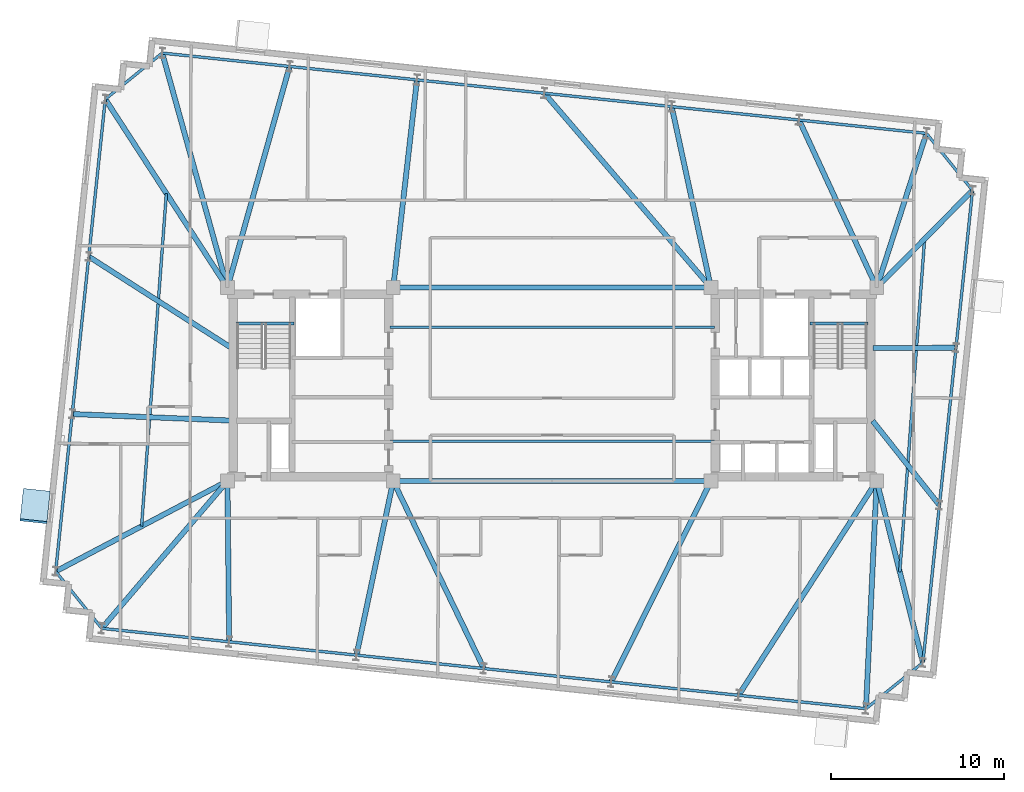
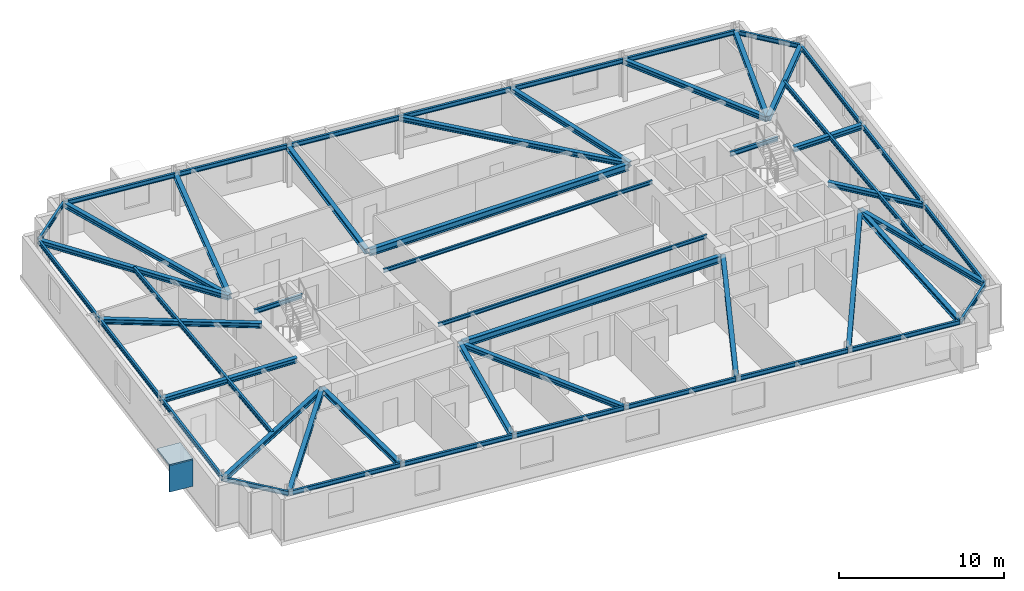
# One storey, part 4 of 11: 52 beams, 2 plates.
"""IFC4 building model written with IfcOpenShell, lengths in metres."""

from ifc_helpers import new_model, si_unit, direction, frame, origin, origin_2d, place, context, subcontext, project, spatial, rectangle, i_section, extrude, material, layer, layer_set, material_profile, profile_set, type_object, element, save


model = new_model("IFC4")

# Units and contexts
model_context = context("Model", 3, precision=1e-05, world=origin(), true_north=direction((0.0, 1.0)))
body_context = subcontext(model_context, "Body", "Model", "MODEL_VIEW")
ifc_project = project(units=[si_unit("LENGTHUNIT", "METRE"), si_unit("AREAUNIT", "SQUARE_METRE"), si_unit("VOLUMEUNIT", "CUBIC_METRE"), si_unit("PLANEANGLEUNIT", "RADIAN"), si_unit("MASSUNIT", "GRAM", prefix="KILO")], contexts=[model_context])

# Site, building, storey
site_placement = place(None, origin())
site = spatial("IfcSite", under=ifc_project, at=site_placement, CompositionType="ELEMENT")
building_placement = place(site_placement, origin())
building = spatial("IfcBuilding", under=site, at=building_placement, Name="Qobustan Lattice House", CompositionType="ELEMENT")
storey_placement = place(building_placement, frame((0.0, 0.0, 219.85009765625)))
storey = spatial("IfcBuildingStorey", under=building, at=storey_placement, Name="L62", CompositionType="ELEMENT", Elevation=219.85009765625)

# Beams
ifc_material_1 = material(Name="Steel S355", Category="steel")
ifc_material_profile_1 = material_profile(ifc_material_1, i_section(OverallWidth=0.300048828125, OverallDepth=0.5, WebThickness=0.014404296875, FlangeThickness=0.028076171875, FilletRadius=0.027099609375, at=origin_2d()), Name="HEB500")
ifc_profile_set_1 = profile_set([ifc_material_profile_1], Name="Steel S355")
beam_type_1 = type_object("IfcBeamType", Name="BM-CG-HEB500", PredefinedType="USERDEFINED", material=ifc_profile_set_1)
for number, where, z_axis, x_axis, name in (
    (1, (-9.050048828125, -5.60009765625, 2.75), (1.0, 0.0, 0.0), (0.0, 1.0, 0.0), "L62 core spine girder CG-CS"),
    (2, (-9.050048828125, 5.60009765625, 2.75), (1.0, 0.0, 0.0), (0.0, 1.0, 0.0), "L62 core spine girder CG-CN"),
):
    element("IfcBeam", number, at=place(storey_placement, frame(where, z_axis=z_axis, x_axis=x_axis)), inside=storey, type_object=beam_type_1, Name=name, ObjectType="GIRDER", PredefinedType="USERDEFINED", context=body_context, shape_type="SweptSolid", body=[
        extrude(i_section(OverallWidth=0.300048828125, OverallDepth=0.5, WebThickness=0.014404296875, FlangeThickness=0.028076171875, FilletRadius=0.027099609375, at=origin_2d()), origin(), (0.0, 0.0, 1.0), 18.10009765625),
    ])
ifc_material_2 = material(Name="Steel S355", Category="steel")
ifc_material_profile_2 = material_profile(ifc_material_2, i_section(OverallWidth=0.300048828125, OverallDepth=0.360107421875, WebThickness=0.012451171875, FlangeThickness=0.0224609375, FilletRadius=0.027099609375, at=origin_2d()), Name="HEB360")
ifc_profile_set_2 = profile_set([ifc_material_profile_2], Name="Steel S355")
beam_type_2 = type_object("IfcBeamType", Name="BM-FLG-HEB360", PredefinedType="USERDEFINED", material=ifc_profile_set_2)
beam_1_placement = place(storey_placement, frame((-26.062744140625, -14.113525390625, 2.81982421875), z_axis=(0.649006911642, 0.760782510736, 0.0), x_axis=(-0.760782510736, 0.649006911642, 0.0)))
element("IfcBeam", 3, at=beam_1_placement, inside=storey, type_object=beam_type_2, Name="L62 primary floor girder RAD-S1W", ObjectType="GIRDER", PredefinedType="USERDEFINED", context=body_context, shape_type="SweptSolid", body=[
    extrude(i_section(OverallWidth=0.300048828125, OverallDepth=0.360107421875, WebThickness=0.012451171875, FlangeThickness=0.0224609375, FilletRadius=0.027099609375, at=origin_2d()), origin(), (0.0, 0.0, 1.0), 11.16552734375),
])
beam_2_placement = place(storey_placement, frame((-18.703125, -14.8828125, 2.81982421875), z_axis=(-0.010442468578, 0.999945475939, 0.0), x_axis=(-0.999945475939, -0.010442468578, 0.0)))
element("IfcBeam", 4, at=beam_2_placement, inside=storey, type_object=beam_type_2, Name="L62 primary floor girder RAD-S2", ObjectType="GIRDER", PredefinedType="USERDEFINED", context=body_context, shape_type="SweptSolid", body=[
    extrude(i_section(OverallWidth=0.300048828125, OverallDepth=0.360107421875, WebThickness=0.012451171875, FlangeThickness=0.0224609375, FilletRadius=0.027099609375, at=origin_2d()), origin(), (0.0, 0.0, 1.0), 9.25830078125),
])
beam_3_placement = place(storey_placement, frame((-11.32177734375, -15.658447265625, 2.81982421875), z_axis=(0.206411213198, 0.978465334627, 0.0), x_axis=(-0.978465334627, 0.206411213198, 0.0)))
element("IfcBeam", 5, at=beam_3_placement, inside=storey, type_object=beam_type_2, Name="L62 primary floor girder RAD-S3", ObjectType="GIRDER", PredefinedType="USERDEFINED", context=body_context, shape_type="SweptSolid", body=[
    extrude(i_section(OverallWidth=0.300048828125, OverallDepth=0.360107421875, WebThickness=0.012451171875, FlangeThickness=0.0224609375, FilletRadius=0.027099609375, at=origin_2d()), origin(), (0.0, 0.0, 1.0), 10.2548828125),
])
beam_4_placement = place(storey_placement, frame((-3.9619140625, -16.435791015625, 2.81982421875), z_axis=(-0.435229353302, 0.900319615483, 0.0), x_axis=(-0.900319615483, -0.435229353302, 0.0)))
element("IfcBeam", 6, at=beam_4_placement, inside=storey, type_object=beam_type_2, Name="L62 primary floor girder RAD-S4", ObjectType="GIRDER", PredefinedType="USERDEFINED", context=body_context, shape_type="SweptSolid", body=[
    extrude(i_section(OverallWidth=0.300048828125, OverallDepth=0.360107421875, WebThickness=0.012451171875, FlangeThickness=0.0224609375, FilletRadius=0.027099609375, at=origin_2d()), origin(), (0.0, 0.0, 1.0), 12.010498046875),
])
beam_5_placement = place(storey_placement, frame((3.436279296875, -17.211181640625, 2.81982421875), z_axis=(0.444630337125, 0.895714163843, 0.0), x_axis=(-0.895714163843, 0.444630337125, 0.0)))
element("IfcBeam", 7, at=beam_5_placement, inside=storey, type_object=beam_type_2, Name="L62 primary floor girder RAD-S5", ObjectType="GIRDER", PredefinedType="USERDEFINED", context=body_context, shape_type="SweptSolid", body=[
    extrude(i_section(OverallWidth=0.300048828125, OverallDepth=0.360107421875, WebThickness=0.012451171875, FlangeThickness=0.0224609375, FilletRadius=0.027099609375, at=origin_2d()), origin(), (0.0, 0.0, 1.0), 12.938232421875),
])
beam_6_placement = place(storey_placement, frame((10.814697265625, -17.98779296875, 2.81982421875), z_axis=(0.541810491961, 0.840500678644, 0.0), x_axis=(-0.840500678644, 0.541810491961, 0.0)))
element("IfcBeam", 8, at=beam_6_placement, inside=storey, type_object=beam_type_2, Name="L62 primary floor girder RAD-S6", ObjectType="GIRDER", PredefinedType="USERDEFINED", context=body_context, shape_type="SweptSolid", body=[
    extrude(i_section(OverallWidth=0.300048828125, OverallDepth=0.360107421875, WebThickness=0.012451171875, FlangeThickness=0.0224609375, FilletRadius=0.027099609375, at=origin_2d()), origin(), (0.0, 0.0, 1.0), 14.71337890625),
])
beam_7_placement = place(storey_placement, frame((18.178466796875, -18.759033203125, 2.81982421875), z_axis=(0.047180517312, 0.998886379318, 0.0), x_axis=(-0.998886379318, 0.047180517312, 0.0)))
element("IfcBeam", 9, at=beam_7_placement, inside=storey, type_object=beam_type_2, Name="L62 primary floor girder RAD-S7E", ObjectType="GIRDER", PredefinedType="USERDEFINED", context=body_context, shape_type="SweptSolid", body=[
    extrude(i_section(OverallWidth=0.300048828125, OverallDepth=0.360107421875, WebThickness=0.012451171875, FlangeThickness=0.0224609375, FilletRadius=0.027099609375, at=origin_2d()), origin(), (0.0, 0.0, 1.0), 13.148681640625),
])
beam_8_placement = place(storey_placement, frame((-22.570556640625, 19.159912109375, 2.81982421875), z_axis=(0.267904661715, -0.963445427739, 0.0), x_axis=(0.963445427739, 0.267904661715, 0.0)))
element("IfcBeam", 10, at=beam_8_placement, inside=storey, type_object=beam_type_2, Name="L62 primary floor girder RAD-N7W", ObjectType="GIRDER", PredefinedType="USERDEFINED", context=body_context, shape_type="SweptSolid", body=[
    extrude(i_section(OverallWidth=0.300048828125, OverallDepth=0.360107421875, WebThickness=0.012451171875, FlangeThickness=0.0224609375, FilletRadius=0.027099609375, at=origin_2d()), origin(), (0.0, 0.0, 1.0), 14.049560546875),
])
beam_9_placement = place(storey_placement, frame((-15.2080078125, 18.384521484375, 2.81982421875), z_axis=(-0.270487929903, -0.962723366174, 0.0), x_axis=(0.962723366174, -0.270487929903, 0.0)))
element("IfcBeam", 11, at=beam_9_placement, inside=storey, type_object=beam_type_2, Name="L62 primary floor girder RAD-N6", ObjectType="GIRDER", PredefinedType="USERDEFINED", context=body_context, shape_type="SweptSolid", body=[
    extrude(i_section(OverallWidth=0.300048828125, OverallDepth=0.360107421875, WebThickness=0.012451171875, FlangeThickness=0.0224609375, FilletRadius=0.027099609375, at=origin_2d()), origin(), (0.0, 0.0, 1.0), 13.254638671875),
])
beam_10_placement = place(storey_placement, frame((-7.827880859375, 17.608642578125, 2.81982421875), z_axis=(-0.11353003651, -0.993534564477, 0.0), x_axis=(0.993534564477, -0.11353003651, 0.0)))
element("IfcBeam", 12, at=beam_10_placement, inside=storey, type_object=beam_type_2, Name="L62 primary floor girder RAD-N5", ObjectType="GIRDER", PredefinedType="USERDEFINED", context=body_context, shape_type="SweptSolid", body=[
    extrude(i_section(OverallWidth=0.300048828125, OverallDepth=0.360107421875, WebThickness=0.012451171875, FlangeThickness=0.0224609375, FilletRadius=0.027099609375, at=origin_2d()), origin(), (0.0, 0.0, 1.0), 12.061767578125),
])
beam_11_placement = place(storey_placement, frame((-0.432861328125, 16.839111328125, 2.81982421875), z_axis=(0.650757358368, -0.759285756833, 0.0), x_axis=(0.759285756833, 0.650757358368, 0.0)))
element("IfcBeam", 13, at=beam_11_placement, inside=storey, type_object=beam_type_2, Name="L62 primary floor girder RAD-N4", ObjectType="GIRDER", PredefinedType="USERDEFINED", context=body_context, shape_type="SweptSolid", body=[
    extrude(i_section(OverallWidth=0.300048828125, OverallDepth=0.360107421875, WebThickness=0.012451171875, FlangeThickness=0.0224609375, FilletRadius=0.027099609375, at=origin_2d()), origin(), (0.0, 0.0, 1.0), 14.77734375),
])
beam_12_placement = place(storey_placement, frame((6.93212890625, 16.05859375, 2.81982421875), z_axis=(0.211908420044, -0.977289527988, 0.0), x_axis=(0.977289527988, 0.211908420044, 0.0)))
element("IfcBeam", 14, at=beam_12_placement, inside=storey, type_object=beam_type_2, Name="L62 primary floor girder RAD-N3", ObjectType="GIRDER", PredefinedType="USERDEFINED", context=body_context, shape_type="SweptSolid", body=[
    extrude(i_section(OverallWidth=0.300048828125, OverallDepth=0.360107421875, WebThickness=0.012451171875, FlangeThickness=0.0224609375, FilletRadius=0.027099609375, at=origin_2d()), origin(), (0.0, 0.0, 1.0), 10.676513671875),
])
beam_13_placement = place(storey_placement, frame((14.3134765625, 15.284912109375, 2.81982421875), z_axis=(0.420345924661, -0.907363931188, 0.0), x_axis=(0.907363931188, 0.420345924661, 0.0)))
element("IfcBeam", 15, at=beam_13_placement, inside=storey, type_object=beam_type_2, Name="L62 primary floor girder RAD-N2", ObjectType="GIRDER", PredefinedType="USERDEFINED", context=body_context, shape_type="SweptSolid", body=[
    extrude(i_section(OverallWidth=0.300048828125, OverallDepth=0.360107421875, WebThickness=0.012451171875, FlangeThickness=0.0224609375, FilletRadius=0.027099609375, at=origin_2d()), origin(), (0.0, 0.0, 1.0), 10.6484375),
])
beam_14_placement = place(storey_placement, frame((21.67138671875, 14.5087890625, 2.81982421875), z_axis=(-0.306773532579, -0.951782538035, 0.0), x_axis=(0.951782538035, -0.306773532579, 0.0)))
element("IfcBeam", 16, at=beam_14_placement, inside=storey, type_object=beam_type_2, Name="L62 primary floor girder RAD-N1E", ObjectType="GIRDER", PredefinedType="USERDEFINED", context=body_context, shape_type="SweptSolid", body=[
    extrude(i_section(OverallWidth=0.300048828125, OverallDepth=0.360107421875, WebThickness=0.012451171875, FlangeThickness=0.0224609375, FilletRadius=0.027099609375, at=origin_2d()), origin(), (0.0, 0.0, 1.0), 9.335205078125),
])
beam_15_placement = place(storey_placement, frame((-25.86083984375, 16.492919921875, 2.81982421875), z_axis=(0.543926170046, -0.839133077371, 0.0), x_axis=(0.839133077371, 0.543926170046, 0.0)))
element("IfcBeam", 17, at=beam_15_placement, inside=storey, type_object=beam_type_2, Name="L62 primary floor girder RAD-W1", ObjectType="GIRDER", PredefinedType="USERDEFINED", context=body_context, shape_type="SweptSolid", body=[
    extrude(i_section(OverallWidth=0.300048828125, OverallDepth=0.360107421875, WebThickness=0.012451171875, FlangeThickness=0.0224609375, FilletRadius=0.027099609375, at=origin_2d()), origin(), (0.0, 0.0, 1.0), 12.9560546875),
])
beam_16_placement = place(storey_placement, frame((-26.8115234375, 7.384033203125, 2.81982421875), z_axis=(0.842429105495, -0.538807203195, 0.0), x_axis=(0.538807203195, 0.842429105495, 0.0)))
element("IfcBeam", 18, at=beam_16_placement, inside=storey, type_object=beam_type_2, Name="L62 primary floor girder RAD-W2", ObjectType="GIRDER", PredefinedType="USERDEFINED", context=body_context, shape_type="SweptSolid", body=[
    extrude(i_section(OverallWidth=0.300048828125, OverallDepth=0.360107421875, WebThickness=0.012451171875, FlangeThickness=0.0224609375, FilletRadius=0.027099609375, at=origin_2d()), origin(), (0.0, 0.0, 1.0), 9.78173828125),
])
beam_17_placement = place(storey_placement, frame((-27.765869140625, -1.719970703125, 2.81982421875), z_axis=(0.999150190925, -0.041217665795, 0.0), x_axis=(0.041217665795, 0.999150190925, 0.0)))
element("IfcBeam", 19, at=beam_17_placement, inside=storey, type_object=beam_type_2, Name="L62 primary floor girder RAD-W3", ObjectType="GIRDER", PredefinedType="USERDEFINED", context=body_context, shape_type="SweptSolid", body=[
    extrude(i_section(OverallWidth=0.300048828125, OverallDepth=0.360107421875, WebThickness=0.012451171875, FlangeThickness=0.0224609375, FilletRadius=0.027099609375, at=origin_2d()), origin(), (0.0, 0.0, 1.0), 9.19873046875),
])
beam_18_placement = place(storey_placement, frame((-28.726806640625, -10.82373046875, 2.81982421875), z_axis=(0.884950868639, 0.465684399669, 0.0), x_axis=(-0.465684399669, 0.884950868639, 0.0)))
element("IfcBeam", 20, at=beam_18_placement, inside=storey, type_object=beam_type_2, Name="L62 primary floor girder RAD-W4", ObjectType="GIRDER", PredefinedType="USERDEFINED", context=body_context, shape_type="SweptSolid", body=[
    extrude(i_section(OverallWidth=0.300048828125, OverallDepth=0.360107421875, WebThickness=0.012451171875, FlangeThickness=0.0224609375, FilletRadius=0.027099609375, at=origin_2d()), origin(), (0.0, 0.0, 1.0), 11.1923828125),
])
beam_19_placement = place(storey_placement, frame((24.331298828125, 11.217529296875, 2.81982421875), z_axis=(-0.701633616284, -0.712537906712, 0.0), x_axis=(0.712537906712, -0.701633616284, 0.0)))
element("IfcBeam", 21, at=beam_19_placement, inside=storey, type_object=beam_type_2, Name="L62 primary floor girder RAD-E4", ObjectType="GIRDER", PredefinedType="USERDEFINED", context=body_context, shape_type="SweptSolid", body=[
    extrude(i_section(OverallWidth=0.300048828125, OverallDepth=0.360107421875, WebThickness=0.012451171875, FlangeThickness=0.0224609375, FilletRadius=0.027099609375, at=origin_2d()), origin(), (0.0, 0.0, 1.0), 7.858642578125),
])
beam_20_placement = place(storey_placement, frame((23.36572265625, 2.118896484375, 2.81982421875), z_axis=(-0.999992301331, -0.003923936564, 0.0), x_axis=(0.003923936564, -0.999992301331, 0.0)))
element("IfcBeam", 22, at=beam_20_placement, inside=storey, type_object=beam_type_2, Name="L62 primary floor girder RAD-E3", ObjectType="GIRDER", PredefinedType="USERDEFINED", context=body_context, shape_type="SweptSolid", body=[
    extrude(i_section(OverallWidth=0.300048828125, OverallDepth=0.360107421875, WebThickness=0.012451171875, FlangeThickness=0.0224609375, FilletRadius=0.027099609375, at=origin_2d()), origin(), (0.0, 0.0, 1.0), 4.790771484375),
])
beam_21_placement = place(storey_placement, frame((22.4169921875, -6.97802734375, 2.81982421875), z_axis=(-0.621231320857, 0.783627236629, 0.0), x_axis=(-0.783627236629, -0.621231320857, 0.0)))
element("IfcBeam", 23, at=beam_21_placement, inside=storey, type_object=beam_type_2, Name="L62 primary floor girder RAD-E2", ObjectType="GIRDER", PredefinedType="USERDEFINED", context=body_context, shape_type="SweptSolid", body=[
    extrude(i_section(OverallWidth=0.300048828125, OverallDepth=0.360107421875, WebThickness=0.012451171875, FlangeThickness=0.0224609375, FilletRadius=0.027099609375, at=origin_2d()), origin(), (0.0, 0.0, 1.0), 6.199951171875),
])
beam_22_placement = place(storey_placement, frame((21.46826171875, -16.08984375, 2.81982421875), z_axis=(-0.246517911643, 0.969138235361, 0.0), x_axis=(-0.969138235361, -0.246517911643, 0.0)))
element("IfcBeam", 24, at=beam_22_placement, inside=storey, type_object=beam_type_2, Name="L62 primary floor girder RAD-E1", ObjectType="GIRDER", PredefinedType="USERDEFINED", context=body_context, shape_type="SweptSolid", body=[
    extrude(i_section(OverallWidth=0.300048828125, OverallDepth=0.360107421875, WebThickness=0.012451171875, FlangeThickness=0.0224609375, FilletRadius=0.027099609375, at=origin_2d()), origin(), (0.0, 0.0, 1.0), 10.798828125),
])
ifc_material_3 = material(Name="Steel S355", Category="steel")
ifc_material_profile_3 = material_profile(ifc_material_3, i_section(OverallWidth=0.135009765625, OverallDepth=0.27001953125, WebThickness=0.006591796875, FlangeThickness=0.01025390625, FilletRadius=0.014892578125, at=origin_2d()), Name="IPE270")
ifc_profile_set_3 = profile_set([ifc_material_profile_3], Name="Steel S355")
beam_type_3 = type_object("IfcBeamType", Name="BM-JST-IPE270", PredefinedType="JOIST", material=ifc_profile_set_3)
for number, where, z_axis, x_axis, name in (
    (25, (-9.39990234375, -3.300048828125, 2.864990234375), (1.0, 0.0, 0.0), (0.0, 1.0, 0.0), "L62 central span floor joist 1"),
    (26, (-9.39990234375, 3.300048828125, 2.864990234375), (1.0, 0.0, 0.0), (0.0, 1.0, 0.0), "L62 central span floor joist 2"),
):
    element("IfcBeam", number, at=place(storey_placement, frame(where, z_axis=z_axis, x_axis=x_axis)), inside=storey, type_object=beam_type_3, Name=name, PredefinedType="JOIST", context=body_context, shape_type="SweptSolid", body=[
        extrude(i_section(OverallWidth=0.135009765625, OverallDepth=0.27001953125, WebThickness=0.006591796875, FlangeThickness=0.01025390625, FilletRadius=0.014892578125, at=origin_2d()), origin(), (0.0, 0.0, 1.0), 18.7998046875),
    ])
ifc_material_4 = material(Name="Steel S355", Category="steel")
ifc_material_profile_4 = material_profile(ifc_material_4, i_section(OverallWidth=0.159912109375, OverallDepth=0.330078125, WebThickness=0.007568359375, FlangeThickness=0.011474609375, FilletRadius=0.01806640625, at=origin_2d()), Name="IPE330")
ifc_profile_set_4 = profile_set([ifc_material_profile_4], Name="Steel S355")
beam_type_4 = type_object("IfcBeamType", Name="BM-SEC-IPE330", PredefinedType="BEAM", material=ifc_profile_set_4)
beam_23_placement = place(storey_placement, frame((-22.337158203125, 11.056884765625, 2.8349609375), z_axis=(-0.074361616657, -0.997231342251, 0.0), x_axis=(0.997231342251, -0.074361616657, 0.0)))
element("IfcBeam", 27, at=beam_23_placement, inside=storey, type_object=beam_type_4, Name="L62 west wing secondary beam", PredefinedType="BEAM", context=body_context, shape_type="SweptSolid", body=[
    extrude(i_section(OverallWidth=0.159912109375, OverallDepth=0.330078125, WebThickness=0.007568359375, FlangeThickness=0.011474609375, FilletRadius=0.01806640625, at=origin_2d()), origin(), (0.0, 0.0, 1.0), 19.327880859375),
])
beam_24_placement = place(storey_placement, frame((21.574462890625, 8.417724609375, 2.8349609375), z_axis=(-0.074360679971, -0.997231412098, 0.0), x_axis=(0.997231412098, -0.074360679971, 0.0)))
element("IfcBeam", 28, at=beam_24_placement, inside=storey, type_object=beam_type_4, Name="L62 east wing secondary beam", PredefinedType="BEAM", context=body_context, shape_type="SweptSolid", body=[
    extrude(i_section(OverallWidth=0.159912109375, OverallDepth=0.330078125, WebThickness=0.007568359375, FlangeThickness=0.011474609375, FilletRadius=0.01806640625, at=origin_2d()), origin(), (0.0, 0.0, 1.0), 19.328125),
])
ifc_material_5 = material(Name="Steel S355", Category="steel")
ifc_material_profile_5 = material_profile(ifc_material_5, i_section(OverallWidth=0.159912109375, OverallDepth=0.330078125, WebThickness=0.007568359375, FlangeThickness=0.011474609375, FilletRadius=0.01806640625, at=origin_2d()), Name="IPE330")
ifc_profile_set_5 = profile_set([ifc_material_profile_5], Name="Steel S355")
beam_type_5 = type_object("IfcBeamType", Name="BM-SPD-IPE330", PredefinedType="SPANDREL", material=ifc_profile_set_5)
for number, where, z_axis, x_axis, name in (
    (29, (-18.300048828125, 3.52001953125, 2.8349609375), (1.0, 0.0, 0.0), (0.0, 1.0, 0.0), "L62 west stair landing trimmer beam"),
    (30, (14.949951171875, 3.52001953125, 2.8349609375), (1.0, 0.0, 0.0), (0.0, 1.0, 0.0), "L62 east stair landing trimmer beam"),
):
    element("IfcBeam", number, at=place(storey_placement, frame(where, z_axis=z_axis, x_axis=x_axis)), inside=storey, type_object=beam_type_5, Name=name, PredefinedType="SPANDREL", context=body_context, shape_type="SweptSolid", body=[
        extrude(i_section(OverallWidth=0.159912109375, OverallDepth=0.330078125, WebThickness=0.007568359375, FlangeThickness=0.011474609375, FilletRadius=0.01806640625, at=origin_2d()), origin(), (0.0, 0.0, 1.0), 3.35009765625),
    ])
beam_25_placement = place(storey_placement, frame((-26.05419921875, -14.135009765625, 2.8349609375), z_axis=(0.99452214685, -0.104526070551, 0.0), x_axis=(0.104526070551, 0.99452214685, 0.0)))
element("IfcBeam", 31, at=beam_25_placement, inside=storey, type_object=beam_type_5, Name="L62 perimeter spandrel S1-S2", PredefinedType="SPANDREL", context=body_context, shape_type="SweptSolid", body=[
    extrude(i_section(OverallWidth=0.159912109375, OverallDepth=0.330078125, WebThickness=0.007568359375, FlangeThickness=0.011474609375, FilletRadius=0.01806640625, at=origin_2d()), origin(), (0.0, 0.0, 1.0), 7.36669921875),
])
for number, where, z_axis, x_axis, name in (
    (32, (-18.677978515625, -14.910400390625, 2.8349609375), (0.994521784746, -0.104529515765, 0.0), (0.104529515765, 0.994521784746, 0.0), "L62 perimeter spandrel S2-S3"),
    (33, (-11.302001953125, -15.685546875, 2.8349609375), (0.994521784746, -0.104529515765, 0.0), (0.104529515765, 0.994521784746, 0.0), "L62 perimeter spandrel S3-S4"),
):
    element("IfcBeam", number, at=place(storey_placement, frame(where, z_axis=z_axis, x_axis=x_axis)), inside=storey, type_object=beam_type_5, Name=name, PredefinedType="SPANDREL", context=body_context, shape_type="SweptSolid", body=[
        extrude(i_section(OverallWidth=0.159912109375, OverallDepth=0.330078125, WebThickness=0.007568359375, FlangeThickness=0.011474609375, FilletRadius=0.01806640625, at=origin_2d()), origin(), (0.0, 0.0, 1.0), 7.366455078125),
    ])
beam_26_placement = place(storey_placement, frame((-3.926025390625, -16.460693359375, 2.8349609375), z_axis=(0.99451870122, -0.10455884909, 0.0), x_axis=(0.10455884909, 0.99451870122, 0.0)))
element("IfcBeam", 34, at=beam_26_placement, inside=storey, type_object=beam_type_5, Name="L62 perimeter spandrel S4-S5", PredefinedType="SPANDREL", context=body_context, shape_type="SweptSolid", body=[
    extrude(i_section(OverallWidth=0.159912109375, OverallDepth=0.330078125, WebThickness=0.007568359375, FlangeThickness=0.011474609375, FilletRadius=0.01806640625, at=origin_2d()), origin(), (0.0, 0.0, 1.0), 7.36669921875),
])
for number, where, z_axis, x_axis, name in (
    (35, (3.4501953125, -17.236083984375, 2.8349609375), (0.994521784746, -0.104529515765, 0.0), (0.104529515765, 0.994521784746, 0.0), "L62 perimeter spandrel S5-S6"),
    (36, (10.826171875, -18.01123046875, 2.8349609375), (0.99451833889, -0.104562295361, 0.0), (0.104562295361, 0.99451833889, 0.0), "L62 perimeter spandrel S6-S7"),
):
    element("IfcBeam", number, at=place(storey_placement, frame(where, z_axis=z_axis, x_axis=x_axis)), inside=storey, type_object=beam_type_5, Name=name, PredefinedType="SPANDREL", context=body_context, shape_type="SweptSolid", body=[
        extrude(i_section(OverallWidth=0.159912109375, OverallDepth=0.330078125, WebThickness=0.007568359375, FlangeThickness=0.011474609375, FilletRadius=0.01806640625, at=origin_2d()), origin(), (0.0, 0.0, 1.0), 7.366455078125),
    ])
beam_27_placement = place(storey_placement, frame((18.19677734375, -18.768310546875, 2.8349609375), z_axis=(0.777128239225, 0.629342275554, 0.0), x_axis=(-0.629342275554, 0.777128239225, 0.0)))
element("IfcBeam", 37, at=beam_27_placement, inside=storey, type_object=beam_type_5, Name="L62 perimeter spandrel S7-E1", PredefinedType="SPANDREL", context=body_context, shape_type="SweptSolid", body=[
    extrude(i_section(OverallWidth=0.159912109375, OverallDepth=0.330078125, WebThickness=0.007568359375, FlangeThickness=0.011474609375, FilletRadius=0.01806640625, at=origin_2d()), origin(), (0.0, 0.0, 1.0), 4.192626953125),
])
for number, where, z_axis, x_axis, name in (
    (38, (21.47705078125, -16.089111328125, 2.8349609375), (0.10452168293, 0.994522607987, 0.0), (-0.994522607987, 0.10452168293, 0.0), "L62 perimeter spandrel E1-E2"),
    (39, (22.435302734375, -6.97265625, 2.8349609375), (0.10452168293, 0.994522607987, 0.0), (-0.994522607987, 0.10452168293, 0.0), "L62 perimeter spandrel E2-E3"),
    (40, (23.393310546875, 2.143798828125, 2.8349609375), (0.10452168293, 0.994522607987, 0.0), (-0.994522607987, 0.10452168293, 0.0), "L62 perimeter spandrel E3-E4"),
):
    element("IfcBeam", number, at=place(storey_placement, frame(where, z_axis=z_axis, x_axis=x_axis)), inside=storey, type_object=beam_type_5, Name=name, PredefinedType="SPANDREL", context=body_context, shape_type="SweptSolid", body=[
        extrude(i_section(OverallWidth=0.159912109375, OverallDepth=0.330078125, WebThickness=0.007568359375, FlangeThickness=0.011474609375, FilletRadius=0.01806640625, at=origin_2d()), origin(), (0.0, 0.0, 1.0), 9.11669921875),
    ])
beam_28_placement = place(storey_placement, frame((24.333251953125, 11.254638671875, 2.8349609375), z_axis=(-0.629313797654, 0.777151300637, 0.0), x_axis=(-0.777151300637, -0.629313797654, 0.0)))
element("IfcBeam", 41, at=beam_28_placement, inside=storey, type_object=beam_type_5, Name="L62 perimeter spandrel E4-N1", PredefinedType="SPANDREL", context=body_context, shape_type="SweptSolid", body=[
    extrude(i_section(OverallWidth=0.159912109375, OverallDepth=0.330078125, WebThickness=0.007568359375, FlangeThickness=0.011474609375, FilletRadius=0.01806640625, at=origin_2d()), origin(), (0.0, 0.0, 1.0), 4.19287109375),
])
for number, where, z_axis, x_axis, name in (
    (42, (21.654052734375, 14.53515625, 2.8349609375), (-0.994521784746, 0.104529515765, 0.0), (-0.104529515765, -0.994521784746, 0.0), "L62 perimeter spandrel N1-N2"),
    (43, (14.278076171875, 15.310302734375, 2.8349609375), (-0.994521784746, 0.104529515765, 0.0), (-0.104529515765, -0.994521784746, 0.0), "L62 perimeter spandrel N2-N3"),
):
    element("IfcBeam", number, at=place(storey_placement, frame(where, z_axis=z_axis, x_axis=x_axis)), inside=storey, type_object=beam_type_5, Name=name, PredefinedType="SPANDREL", context=body_context, shape_type="SweptSolid", body=[
        extrude(i_section(OverallWidth=0.159912109375, OverallDepth=0.330078125, WebThickness=0.007568359375, FlangeThickness=0.011474609375, FilletRadius=0.01806640625, at=origin_2d()), origin(), (0.0, 0.0, 1.0), 7.366455078125),
    ])
beam_29_placement = place(storey_placement, frame((6.902099609375, 16.085693359375, 2.8349609375), z_axis=(-0.99452214685, 0.104526070551, 0.0), x_axis=(-0.104526070551, -0.99452214685, 0.0)))
element("IfcBeam", 44, at=beam_29_placement, inside=storey, type_object=beam_type_5, Name="L62 perimeter spandrel N3-N4", PredefinedType="SPANDREL", context=body_context, shape_type="SweptSolid", body=[
    extrude(i_section(OverallWidth=0.159912109375, OverallDepth=0.330078125, WebThickness=0.007568359375, FlangeThickness=0.011474609375, FilletRadius=0.01806640625, at=origin_2d()), origin(), (0.0, 0.0, 1.0), 7.36669921875),
])
for number, where, z_axis, x_axis, name in (
    (45, (-0.47412109375, 16.86083984375, 2.8349609375), (-0.994521784746, 0.104529515765, 0.0), (-0.104529515765, -0.994521784746, 0.0), "L62 perimeter spandrel N4-N5"),
    (46, (-7.85009765625, 17.635986328125, 2.8349609375), (-0.994521784746, 0.104529515765, 0.0), (-0.104529515765, -0.994521784746, 0.0), "L62 perimeter spandrel N5-N6"),
):
    element("IfcBeam", number, at=place(storey_placement, frame(where, z_axis=z_axis, x_axis=x_axis)), inside=storey, type_object=beam_type_5, Name=name, PredefinedType="SPANDREL", context=body_context, shape_type="SweptSolid", body=[
        extrude(i_section(OverallWidth=0.159912109375, OverallDepth=0.330078125, WebThickness=0.007568359375, FlangeThickness=0.011474609375, FilletRadius=0.01806640625, at=origin_2d()), origin(), (0.0, 0.0, 1.0), 7.366455078125),
    ])
beam_30_placement = place(storey_placement, frame((-15.22607421875, 18.411376953125, 2.8349609375), z_axis=(-0.99452214685, 0.104526070551, 0.0), x_axis=(-0.104526070551, -0.99452214685, 0.0)))
element("IfcBeam", 47, at=beam_30_placement, inside=storey, type_object=beam_type_5, Name="L62 perimeter spandrel N6-N7", PredefinedType="SPANDREL", context=body_context, shape_type="SweptSolid", body=[
    extrude(i_section(OverallWidth=0.159912109375, OverallDepth=0.330078125, WebThickness=0.007568359375, FlangeThickness=0.011474609375, FilletRadius=0.01806640625, at=origin_2d()), origin(), (0.0, 0.0, 1.0), 7.36669921875),
])
beam_31_placement = place(storey_placement, frame((-22.5966796875, 19.168212890625, 2.8349609375), z_axis=(-0.777156718239, -0.629307107299, 0.0), x_axis=(0.629307107299, -0.777156718239, 0.0)))
element("IfcBeam", 48, at=beam_31_placement, inside=storey, type_object=beam_type_5, Name="L62 perimeter spandrel N7-W1", PredefinedType="SPANDREL", context=body_context, shape_type="SweptSolid", body=[
    extrude(i_section(OverallWidth=0.159912109375, OverallDepth=0.330078125, WebThickness=0.007568359375, FlangeThickness=0.011474609375, FilletRadius=0.01806640625, at=origin_2d()), origin(), (0.0, 0.0, 1.0), 4.192626953125),
])
beam_32_placement = place(storey_placement, frame((-25.876953125, 16.489013671875, 2.8349609375), z_axis=(-0.104550954592, -0.994519531178, 0.0), x_axis=(0.994519531178, -0.104550954592, 0.0)))
element("IfcBeam", 49, at=beam_32_placement, inside=storey, type_object=beam_type_5, Name="L62 perimeter spandrel W1-W2", PredefinedType="SPANDREL", context=body_context, shape_type="SweptSolid", body=[
    extrude(i_section(OverallWidth=0.159912109375, OverallDepth=0.330078125, WebThickness=0.007568359375, FlangeThickness=0.011474609375, FilletRadius=0.01806640625, at=origin_2d()), origin(), (0.0, 0.0, 1.0), 9.116455078125),
])
beam_33_placement = place(storey_placement, frame((-26.835205078125, 7.372802734375, 2.8349609375), z_axis=(-0.104518899262, -0.994522900539, 0.0), x_axis=(0.994522900539, -0.104518899262, 0.0)))
element("IfcBeam", 50, at=beam_33_placement, inside=storey, type_object=beam_type_5, Name="L62 perimeter spandrel W2-W3", PredefinedType="SPANDREL", context=body_context, shape_type="SweptSolid", body=[
    extrude(i_section(OverallWidth=0.159912109375, OverallDepth=0.330078125, WebThickness=0.007568359375, FlangeThickness=0.011474609375, FilletRadius=0.01806640625, at=origin_2d()), origin(), (0.0, 0.0, 1.0), 9.116943359375),
])
beam_34_placement = place(storey_placement, frame((-27.79345703125, -1.743896484375, 2.8349609375), z_axis=(-0.104524466745, -0.994522315412, 0.0), x_axis=(0.994522315412, -0.104524466745, 0.0)))
element("IfcBeam", 51, at=beam_34_placement, inside=storey, type_object=beam_type_5, Name="L62 perimeter spandrel W3-W4", PredefinedType="SPANDREL", context=body_context, shape_type="SweptSolid", body=[
    extrude(i_section(OverallWidth=0.159912109375, OverallDepth=0.330078125, WebThickness=0.007568359375, FlangeThickness=0.011474609375, FilletRadius=0.01806640625, at=origin_2d()), origin(), (0.0, 0.0, 1.0), 9.116455078125),
])
beam_35_placement = place(storey_placement, frame((-28.733154296875, -10.854736328125, 2.8349609375), z_axis=(0.629307107299, -0.777156718239, 0.0), x_axis=(0.777156718239, 0.629307107299, 0.0)))
element("IfcBeam", 52, at=beam_35_placement, inside=storey, type_object=beam_type_5, Name="L62 perimeter spandrel W4-S1", PredefinedType="SPANDREL", context=body_context, shape_type="SweptSolid", body=[
    extrude(i_section(OverallWidth=0.159912109375, OverallDepth=0.330078125, WebThickness=0.007568359375, FlangeThickness=0.011474609375, FilletRadius=0.01806640625, at=origin_2d()), origin(), (0.0, 0.0, 1.0), 4.192626953125),
])

# Plates
ifc_material_6 = material(Name="Qobustan limestone GFRC", Category="masonry")
ifc_layer = layer(ifc_material_6, 0.1201171875)
ifc_layer_set = layer_set([ifc_layer], Name="Qobustan limestone GFRC")
plate_type = type_object("IfcPlateType", Name="SHD-HOOD-BROW", PredefinedType="USERDEFINED", material=ifc_layer_set)
plate_1_placement = place(storey_placement, frame((-29.939697265625, -7.048095703125, 2.699951171875), z_axis=(0.0, 0.0, 1.0), x_axis=(0.104528463268, 0.994521895368, 0.0)))
element("IfcPlate", 53, at=plate_1_placement, inside=storey, type_object=plate_type, Name="L62 splayed Qobustan stone hood brow", ObjectType="SUNSHADE", PredefinedType="USERDEFINED", context=body_context, shape_type="SweptSolid", body=[
    extrude(rectangle(XDim=1.889892578125, YDim=1.56005859375, at=origin_2d()), origin(), (0.0, 0.0, 1.0), 0.1201171875),
])
plate_2_placement = place(storey_placement, frame((-30.031982421875, -7.928466796875, 0.7900390625), z_axis=(0.0, 0.0, 1.0), x_axis=(0.104528463268, 0.994521895368, 0.0)))
element("IfcPlate", 54, at=plate_2_placement, inside=storey, type_object=plate_type, Name="L62 splayed Qobustan stone hood cheek", ObjectType="SUNSHADE", PredefinedType="USERDEFINED", context=body_context, shape_type="SweptSolid", body=[
    extrude(rectangle(XDim=0.1201171875, YDim=1.56005859375, at=origin_2d()), origin(), (0.0, 0.0, 1.0), 1.969970703125),
])

save(model, "model.ifc")
